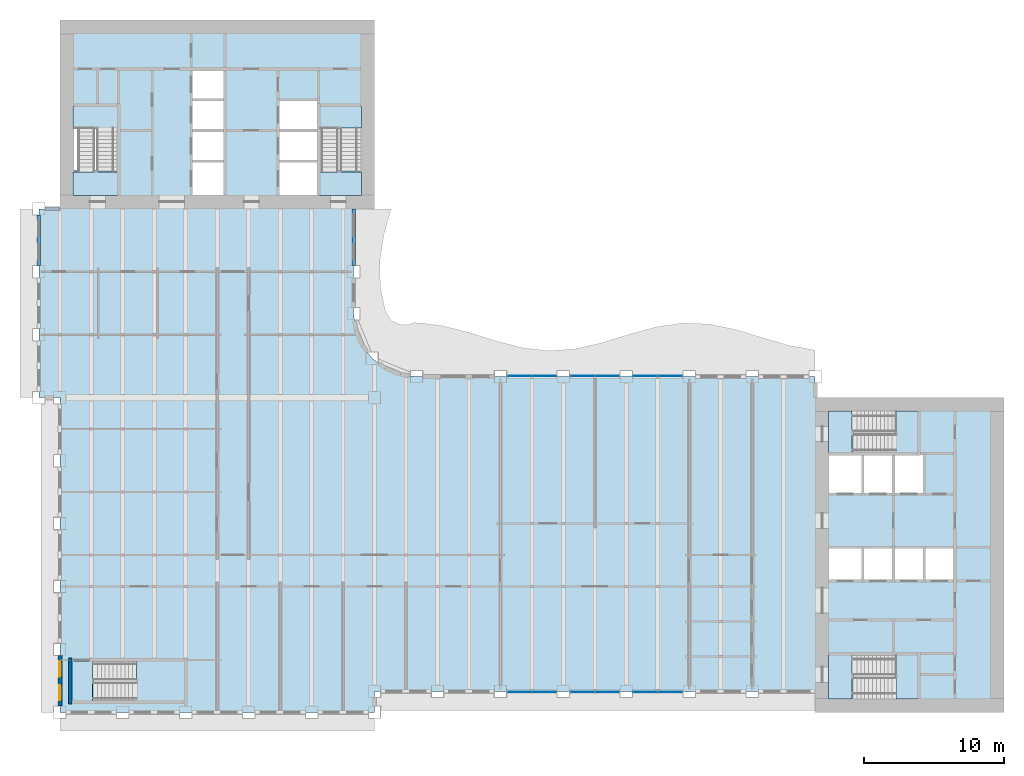
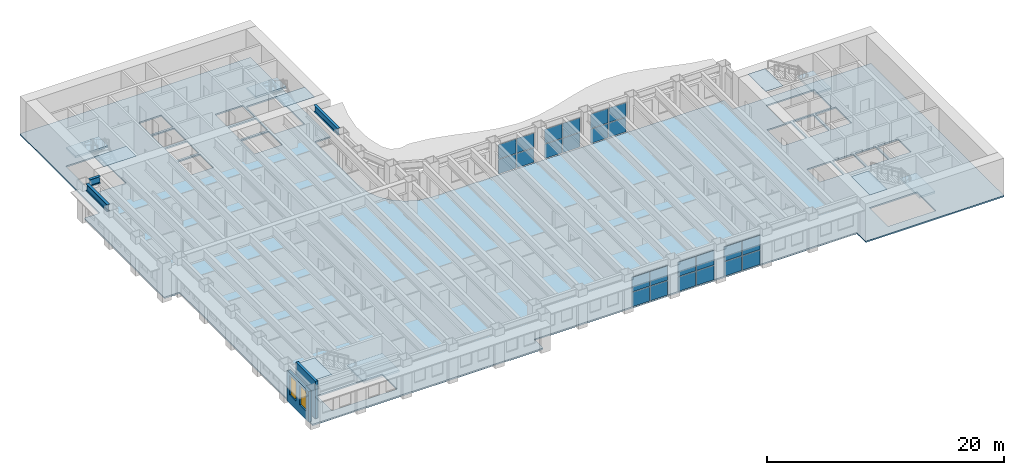
# One storey, part 4 of 17: 24 plates, 11 slabs, 3 beams, 2 walls, 2 windows, 2 openings, 11 elements without a shape of their own.
"""IFC4 building model written with IfcOpenShell, lengths in metres."""

import ifcopenshell
import ifcopenshell.guid

model = None  # the IFC model being written
_history = None  # IfcOwnerHistory: only IFC2X3 demands one
_inside = {}  # id of a spatial element -> (the spatial element, [elements in it])
_under = {}  # id of a project, library or spatial element -> (it, [spatial elements below it])
_declared = {}  # id of a project -> (the project, [libraries it declares])
_typed = {}  # id of a type object -> (the type object, [elements of that type])
_made_of = {}  # id of a material, layer set ... -> (it, [elements and type objects made of it])


def new_model(schema):
    """Start an empty IFC model of exactly this schema.

    Asked for "IFC4X3", IfcOpenShell would pick the latest addendum, in which some entities
    have other attributes; the version numbers below select the first issue.
    IFC2X3 requires an IfcOwnerHistory on every rooted entity: one is made here for all.
    """
    global model, _history
    if schema == "IFC4X3":
        model = ifcopenshell.file(schema_version=(4, 3, 0, 0))
    else:
        model = ifcopenshell.file(schema=schema)
    _inside.clear()
    _under.clear()
    _declared.clear()
    _typed.clear()
    _made_of.clear()
    _history = None
    if model.schema == "IFC2X3":
        org = make("IfcOrganization", Name="unknown")
        user = make(
            "IfcPersonAndOrganization",
            ThePerson=make("IfcPerson", FamilyName="unknown"),
            TheOrganization=org,
        )
        app = make(
            "IfcApplication",
            ApplicationDeveloper=org,
            Version="unknown",
            ApplicationFullName="unknown",
            ApplicationIdentifier="unknown",
        )
        _history = make(
            "IfcOwnerHistory",
            OwningUser=user,
            OwningApplication=app,
            ChangeAction="ADDED",
            CreationDate=0,
        )
    return model


def make(cls, **values):
    """One entity of the class cls with the attributes given. An attribute that is None is left unset."""
    return model.create_entity(
        cls, **{name: value for name, value in values.items() if value is not None}
    )


def rooted(cls, **values):
    """An entity with a GlobalId (a new one), such as an element, a storey or a relation."""
    return make(cls, GlobalId=ifcopenshell.guid.new(), OwnerHistory=_history, **values)


def si_unit(unit_type, name, prefix=None):
    """IfcSIUnit, for example si_unit("LENGTHUNIT", "METRE", prefix="MILLI")."""
    return make("IfcSIUnit", UnitType=unit_type, Prefix=prefix, Name=name)


def assignment(units):
    """IfcUnitAssignment: the units of a project."""
    return None if units is None else make("IfcUnitAssignment", Units=units)


def point(xyz):
    """IfcCartesianPoint."""
    return None if xyz is None else make("IfcCartesianPoint", Coordinates=xyz)


def direction(xyz):
    """IfcDirection."""
    return None if xyz is None else make("IfcDirection", DirectionRatios=xyz)


def frame(location, z_axis=None, x_axis=None):
    """IfcAxis2Placement3D, a coordinate frame: its origin and axes. An axis left out is left unset."""
    return make(
        "IfcAxis2Placement3D",
        Location=point(location),
        Axis=direction(z_axis),
        RefDirection=direction(x_axis),
    )


def frame_2d(location, x_axis=None):
    """IfcAxis2Placement2D, a coordinate frame in the plane: its origin and x axis."""
    return make(
        "IfcAxis2Placement2D", Location=point(location), RefDirection=direction(x_axis)
    )


def origin():
    """The frame at (0, 0, 0) with its axes left unset."""
    return frame((0.0, 0.0, 0.0))


def origin_2d():
    """The frame at (0, 0) in the plane with its x axis left unset."""
    return frame_2d((0.0, 0.0))


def place(relative_to, where):
    """IfcLocalPlacement: puts the frame where relative to a parent placement (None: the world)."""
    return make(
        "IfcLocalPlacement", PlacementRelTo=relative_to, RelativePlacement=where
    )


def context(
    kind, dimensions, precision=None, world=None, true_north=None, identifier=None
):
    """IfcGeometricRepresentationContext, for example the 3D "Model" context."""
    return make(
        "IfcGeometricRepresentationContext",
        ContextIdentifier=identifier,
        ContextType=kind,
        CoordinateSpaceDimension=dimensions,
        Precision=precision,
        WorldCoordinateSystem=world,
        TrueNorth=true_north,
    )


def subcontext(parent, identifier, kind, view, scale=None):
    """IfcGeometricRepresentationSubContext, for example "Body" below "Model"."""
    return make(
        "IfcGeometricRepresentationSubContext",
        ContextIdentifier=identifier,
        ContextType=kind,
        ParentContext=parent,
        TargetScale=scale,
        TargetView=view,
    )


def project(units=None, contexts=None):
    """IfcProject with its units and contexts."""
    return rooted(
        "IfcProject",
        Name="project",
        RepresentationContexts=contexts,
        UnitsInContext=assignment(units),
    )


def spatial(cls, under=None, at=None, **own):
    """A site, building, storey or space (cls), placed at a placement, below another one or the project."""
    s = rooted(cls, ObjectPlacement=at, **own)
    if under is not None:
        _under.setdefault(under.id(), (under, []))[1].append(s)
    return s


def polyline(points):
    """IfcPolyline through the points."""
    return make("IfcPolyline", Points=[point(p) for p in points])


def profile(cls, at=None, kind="AREA", **sizes):
    """A parametric profile (cls). Its sizes go by their IFC names, for example OverallWidth=200.0."""
    return make(cls, ProfileType=kind, Position=at, **sizes)


def rectangle(**sizes):
    """IfcRectangleProfileDef."""
    return profile("IfcRectangleProfileDef", **sizes)


def i_section(**sizes):
    """IfcIShapeProfileDef."""
    return profile("IfcIShapeProfileDef", **sizes)


def outline(outer, holes=None, kind="AREA"):
    """IfcArbitraryClosedProfileDef: a profile drawn as a closed curve; with holes, ...WithVoids."""
    if holes is None:
        return make("IfcArbitraryClosedProfileDef", ProfileType=kind, OuterCurve=outer)
    return make(
        "IfcArbitraryProfileDefWithVoids",
        ProfileType=kind,
        OuterCurve=outer,
        InnerCurves=holes,
    )


def extrude(swept, where, along, depth):
    """IfcExtrudedAreaSolid: the profile swept, set in the frame where, extruded along a direction by depth."""
    return make(
        "IfcExtrudedAreaSolid",
        SweptArea=swept,
        Position=where,
        ExtrudedDirection=direction(along),
        Depth=depth,
    )


def shape(context_of_items, identifier, shape_type, items):
    """IfcShapeRepresentation: the items that make up one representation, for example the "Body"."""
    return make(
        "IfcShapeRepresentation",
        ContextOfItems=context_of_items,
        RepresentationIdentifier=identifier,
        RepresentationType=shape_type,
        Items=items,
    )


def material(Name=None, Category=None):
    """IfcMaterial."""
    return make("IfcMaterial", Name=Name, Category=Category)


def layer(
    of_material, thickness, ventilated=None, Name=None, Category=None, Priority=None
):
    """IfcMaterialLayer: one layer of a wall or slab, of a material (None: an air gap)."""
    return make(
        "IfcMaterialLayer",
        Material=of_material,
        LayerThickness=thickness,
        IsVentilated=ventilated,
        Name=Name,
        Category=Category,
        Priority=Priority,
    )


def layer_set(layers, Name=None):
    """IfcMaterialLayerSet."""
    return make("IfcMaterialLayerSet", MaterialLayers=layers, LayerSetName=Name)


def material_profile(
    of_material, cross_section, Name=None, Category=None, Priority=None
):
    """IfcMaterialProfile: a cross section and its material."""
    return make(
        "IfcMaterialProfile",
        Name=Name,
        Material=of_material,
        Profile=cross_section,
        Priority=Priority,
        Category=Category,
    )


def profile_set(profiles, Name=None, composite=None):
    """IfcMaterialProfileSet."""
    return make(
        "IfcMaterialProfileSet",
        Name=Name,
        MaterialProfiles=profiles,
        CompositeProfile=composite,
    )


def made_of(thing, what):
    """Note that an element or type object is made of a material, layer set ...; save() writes the relation."""
    if what is not None:
        _made_of.setdefault(what.id(), (what, []))[1].append(thing)
    return thing


def type_object(cls, material=None, **own):
    """A type object (cls), such as IfcWallType, which elements share."""
    return made_of(rooted(cls, **own), material)


def element(
    cls,
    number,
    at=None,
    inside=None,
    cuts=None,
    type_object=None,
    material=None,
    context=None,
    identifier="Body",
    shape_type=None,
    held_by="IfcProductDefinitionShape",
    body=None,
    shapes=None,
    **own,
):
    """One element of the class cls, such as IfcWall. Its Tag is "e" and its number.

    at: its placement. inside: the storey or other place that contains it. cuts: it is an
    opening in that element (IfcRelVoidsElement). A single representation is given by context,
    identifier, shape_type and body (its items); several are given by shapes. held_by: the class
    of the entity that holds the representations. save() writes the other relations.
    """
    e = rooted(cls, Tag="e%d" % number, ObjectPlacement=at, **own)
    if body is not None:
        shapes = [shape(context, identifier, shape_type, body)]
    if shapes is not None:
        e.Representation = make(held_by, Representations=shapes)
    if inside is not None:
        _inside.setdefault(inside.id(), (inside, []))[1].append(e)
    if cuts is not None:
        rooted(
            "IfcRelVoidsElement", RelatingBuildingElement=cuts, RelatedOpeningElement=e
        )
    if type_object is not None:
        _typed.setdefault(type_object.id(), (type_object, []))[1].append(e)
    return made_of(e, material)


def fill(opening, filler):
    """IfcRelFillsElement: the door or window that sits in an opening."""
    return rooted(
        "IfcRelFillsElement",
        RelatingOpeningElement=opening,
        RelatedBuildingElement=filler,
    )


def aggregate(whole, parts):
    """IfcRelAggregates: a whole, such as a stair, and the parts it consists of."""
    return rooted("IfcRelAggregates", RelatingObject=whole, RelatedObjects=parts)


def save(model, path):
    """Write the relations noted so far, then the file.

    IfcRelAggregates (storeys below a building ...), IfcRelContainedInSpatialStructure (elements
    in a storey), IfcRelDefinesByType, IfcRelAssociatesMaterial and IfcRelDeclares: one each for
    every whole, place, type object, material and project.
    """
    for whole, parts in _under.values():
        aggregate(whole, parts)
    for where, things in _inside.values():
        rooted(
            "IfcRelContainedInSpatialStructure",
            RelatedElements=things,
            RelatingStructure=where,
        )
    for kind, things in _typed.values():
        rooted("IfcRelDefinesByType", RelatedObjects=things, RelatingType=kind)
    for what, things in _made_of.values():
        rooted("IfcRelAssociatesMaterial", RelatedObjects=things, RelatingMaterial=what)
    for by, libraries in _declared.values():
        rooted("IfcRelDeclares", RelatingContext=by, RelatedDefinitions=libraries)
    model.write(path)


model = new_model("IFC4")

# Units and contexts
model_context = context("Model", 3, precision=1e-05, world=origin(), true_north=direction((0.0, 1.0)))
body_context = subcontext(model_context, "Body", "Model", "MODEL_VIEW")
ifc_project = project(units=[si_unit("LENGTHUNIT", "METRE"), si_unit("AREAUNIT", "SQUARE_METRE"), si_unit("VOLUMEUNIT", "CUBIC_METRE"), si_unit("PLANEANGLEUNIT", "RADIAN"), si_unit("MASSUNIT", "GRAM", prefix="KILO")], contexts=[model_context])

# Site, building, storey
site_placement = place(None, origin())
site = spatial("IfcSite", under=ifc_project, at=site_placement, CompositionType="ELEMENT")
building_placement = place(site_placement, origin())
building = spatial("IfcBuilding", under=site, at=building_placement, Name="Sennacour Bend Tower", CompositionType="ELEMENT")
storey_placement = place(building_placement, frame((0.0, 0.0, 151.0)))
storey = spatial("IfcBuildingStorey", under=building, at=storey_placement, Name="L34", CompositionType="ELEMENT", Elevation=151.0)

# Beams
ifc_material_1 = material(Name="Steel ASTM A992 Grade 50", Category="steel")
ifc_material_profile = material_profile(ifc_material_1, i_section(OverallWidth=0.25390625, OverallDepth=0.700927734375, WebThickness=0.015380859375, FlangeThickness=0.02783203125, FilletRadius=0.015380859375, at=origin_2d()), Name="Steel ASTM A992 Grade 50", Category="steel")
ifc_profile_set = profile_set([ifc_material_profile], Name="Steel ASTM A992 Grade 50")
beam_type = type_object("IfcBeamType", Name="Spandrel beam W690X192", PredefinedType="SPANDREL", material=ifc_profile_set)
beam_1_placement = place(storey_placement, frame((-1.5, 31.949951171875, 3.49951171875), z_axis=(0.0, 1.0, 0.0), x_axis=(-1.0, 0.0, 0.0)))
element("IfcBeam", 1, at=beam_1_placement, inside=storey, type_object=beam_type, Name="Spandrel beam SP4 L35-008", PredefinedType="SPANDREL", context=body_context, shape_type="SweptSolid", body=[
    extrude(i_section(OverallWidth=0.25390625, OverallDepth=0.700927734375, WebThickness=0.015380859375, FlangeThickness=0.02783203125, FilletRadius=0.015380859375, at=origin_2d()), origin(), (0.0, 0.0, 1.0), 3.60009765625),
])
beam_2_placement = place(storey_placement, frame((-1.050048828125, 36.0, 3.49951171875), z_axis=(1.0, 0.0, 0.0), x_axis=(0.0, 1.0, 0.0)))
element("IfcBeam", 2, at=beam_2_placement, inside=storey, type_object=beam_type, Name="Spandrel beam SP4 L35-009", PredefinedType="SPANDREL", context=body_context, shape_type="SweptSolid", body=[
    extrude(i_section(OverallWidth=0.25390625, OverallDepth=0.700927734375, WebThickness=0.015380859375, FlangeThickness=0.02783203125, FilletRadius=0.015380859375, at=origin_2d()), origin(), (0.0, 0.0, 1.0), 1.050048828125),
])
beam_3_placement = place(storey_placement, frame((21.0, 36.0, 3.49951171875), z_axis=(0.0, -1.0, 0.0), x_axis=(1.0, 0.0, 0.0)))
element("IfcBeam", 3, at=beam_3_placement, inside=storey, type_object=beam_type, Name="Spandrel beam SP4 L35-010", PredefinedType="SPANDREL", context=body_context, shape_type="SweptSolid", body=[
    extrude(i_section(OverallWidth=0.25390625, OverallDepth=0.700927734375, WebThickness=0.015380859375, FlangeThickness=0.02783203125, FilletRadius=0.015380859375, at=origin_2d()), origin(), (0.0, 0.0, 1.0), 4.050048828125),
])

# Slab
ifc_material_2 = material(Name="Concrete C30/37", Category="concrete")
ifc_layer_1 = layer(ifc_material_2, 0.14990234375, Name="Concrete C30/37", Category="concrete")
ifc_layer_set_1 = layer_set([ifc_layer_1], Name="Concrete C30/37")
slab_type_1 = type_object("IfcSlabType", Name="Floor slab 150", PredefinedType="FLOOR", material=ifc_layer_set_1)
slab_1_placement = place(storey_placement, frame((0.0, 0.0, -0.14990234375)))
element("IfcSlab", 4, at=slab_1_placement, inside=storey, type_object=slab_type_1, Name="Floor slab L34-01", PredefinedType="FLOOR", context=body_context, shape_type="SweptSolid", body=[
    extrude(outline(polyline([(0.0, 22.5), (-1.5, 22.5), (-1.5, 36.0), (0.0, 36.0), (0.0, 49.5), (22.5, 49.5), (22.5, 36.0), (21.0, 36.0), (21.0, 28.5), (21.1533203125, 27.335205078125), (21.602783203125, 26.25), (22.318115234375, 25.318115234375), (23.25, 24.602783203125), (24.335205078125, 24.1533203125), (25.5, 24.0), (54.0, 24.0), (54.0, 22.5), (67.5, 22.5), (67.5, 0.0), (54.0, 0.0), (54.0, 1.5), (22.5, 1.5), (22.5, 0.0), (0.0, 0.0), (0.0, 22.5)]), holes=[polyline([(8.800048828125, 0.949951171875), (8.800048828125, 3.5), (2.429931640625, 3.5), (2.429931640625, 0.949951171875), (8.800048828125, 0.949951171875)]), polyline([(11.699951171875, 37.0), (11.699951171875, 39.300048828125), (9.5, 39.300048828125), (9.5, 37.0), (11.699951171875, 37.0)]), polyline([(18.39990234375, 37.0), (18.39990234375, 39.300048828125), (15.699951171875, 39.300048828125), (15.699951171875, 37.0), (18.39990234375, 37.0)]), polyline([(11.699951171875, 39.5), (11.699951171875, 41.5), (9.5, 41.5), (9.5, 39.5), (11.699951171875, 39.5)]), polyline([(18.39990234375, 39.5), (18.39990234375, 41.5), (15.699951171875, 41.5), (15.699951171875, 39.5), (18.39990234375, 39.5)]), polyline([(4.125, 38.72998046875), (4.125, 43.39990234375), (0.949951171875, 43.39990234375), (0.949951171875, 38.72998046875), (4.125, 38.72998046875)]), polyline([(21.550048828125, 38.72998046875), (21.550048828125, 43.39990234375), (18.574951171875, 43.39990234375), (18.574951171875, 38.72998046875), (21.550048828125, 38.72998046875)]), polyline([(9.5, 41.699951171875), (11.699951171875, 41.699951171875), (11.699951171875, 43.699951171875), (9.5, 43.699951171875), (9.5, 41.699951171875)]), polyline([(15.699951171875, 41.699951171875), (18.39990234375, 41.699951171875), (18.39990234375, 43.699951171875), (15.699951171875, 43.699951171875), (15.699951171875, 41.699951171875)]), polyline([(11.699951171875, 43.89990234375), (11.699951171875, 45.89990234375), (9.5, 45.89990234375), (9.5, 43.89990234375), (11.699951171875, 43.89990234375)]), polyline([(61.39990234375, 0.949951171875), (61.39990234375, 4.125), (56.72998046875, 4.125), (56.72998046875, 0.949951171875), (61.39990234375, 0.949951171875)]), polyline([(57.300048828125, 9.5), (57.300048828125, 11.699951171875), (55.0, 11.699951171875), (55.0, 9.5), (57.300048828125, 9.5)]), polyline([(57.5, 9.5), (59.5, 9.5), (59.5, 11.699951171875), (57.5, 11.699951171875), (57.5, 9.5)]), polyline([(59.699951171875, 9.5), (61.699951171875, 9.5), (61.699951171875, 11.699951171875), (59.699951171875, 11.699951171875), (59.699951171875, 9.5)]), polyline([(63.89990234375, 9.5), (63.89990234375, 11.699951171875), (61.89990234375, 11.699951171875), (61.89990234375, 9.5), (63.89990234375, 9.5)]), polyline([(57.300048828125, 15.699951171875), (57.300048828125, 18.39990234375), (55.0, 18.39990234375), (55.0, 15.699951171875), (57.300048828125, 15.699951171875)]), polyline([(59.5, 15.699951171875), (59.5, 18.39990234375), (57.5, 18.39990234375), (57.5, 15.699951171875), (59.5, 15.699951171875)]), polyline([(59.699951171875, 15.699951171875), (61.699951171875, 15.699951171875), (61.699951171875, 18.39990234375), (59.699951171875, 18.39990234375), (59.699951171875, 15.699951171875)]), polyline([(56.72998046875, 18.574951171875), (61.39990234375, 18.574951171875), (61.39990234375, 21.550048828125), (56.72998046875, 21.550048828125), (56.72998046875, 18.574951171875)])]), origin(), (0.0, 0.0, 1.0), 0.14990234375),
])

# Curtain wall, plates
ifc_material_3 = material(Name="Bronze anodised aluminium curtain wall with clear glass", Category="aluminium")
curtain_wall_type = type_object("IfcCurtainWallType", Name="CURTAIN WALL BRIDGE", PredefinedType="NOTDEFINED", material=ifc_material_3)
curtain_wall_1_placement = place(storey_placement, origin())
curtain_wall_1 = element("IfcCurtainWall", 5, at=curtain_wall_1_placement, inside=storey, type_object=curtain_wall_type, Name="Sky bridge glass wall L34", PredefinedType="NOTDEFINED")
ifc_material_4 = material(Name="Clear low-emissivity glass", Category="glass")
ifc_layer_2 = layer(ifc_material_4, 0.031982421875, Name="Clear low-emissivity glass", Category="glass")
ifc_layer_set_2 = layer_set([ifc_layer_2], Name="Clear low-emissivity glass")
plate_type = type_object("IfcPlateType", Name="PNL-GLASS-IGU32", PredefinedType="CURTAIN_PANEL", material=ifc_layer_set_2)
plate_1_placement = place(storey_placement, frame((32.864990234375, 1.449951171875, 0.06005859375), z_axis=(0.0, 0.0, 1.0), x_axis=(1.0, 0.0, 0.0)))
plate_1 = element("IfcPlate", 6, at=plate_1_placement, type_object=plate_type, Name="GW5 curtain wall panel 1.1", PredefinedType="CURTAIN_PANEL", context=body_context, shape_type="SweptSolid", body=[
    extrude(rectangle(XDim=1.7099609375, YDim=0.031982421875, at=origin_2d()), origin(), (0.0, 0.0, 1.0), 1.485107421875),
])
plate_2_placement = place(storey_placement, frame((32.864990234375, 1.449951171875, 1.60498046875), z_axis=(0.0, 0.0, 1.0), x_axis=(1.0, 0.0, 0.0)))
plate_2 = element("IfcPlate", 7, at=plate_2_placement, type_object=plate_type, Name="GW5 curtain wall panel 1.2", PredefinedType="CURTAIN_PANEL", context=body_context, shape_type="SweptSolid", body=[
    extrude(rectangle(XDim=1.7099609375, YDim=0.031982421875, at=origin_2d()), origin(), (0.0, 0.0, 1.0), 1.48388671875),
])
plate_3_placement = place(storey_placement, frame((34.635009765625, 1.449951171875, 0.06005859375), z_axis=(0.0, 0.0, 1.0), x_axis=(1.0, 0.0, 0.0)))
plate_3 = element("IfcPlate", 8, at=plate_3_placement, type_object=plate_type, Name="GW5 curtain wall panel 2.1", PredefinedType="CURTAIN_PANEL", context=body_context, shape_type="SweptSolid", body=[
    extrude(rectangle(XDim=1.7099609375, YDim=0.031982421875, at=origin_2d()), origin(), (0.0, 0.0, 1.0), 1.485107421875),
])
plate_4_placement = place(storey_placement, frame((34.635009765625, 1.449951171875, 1.60498046875), z_axis=(0.0, 0.0, 1.0), x_axis=(1.0, 0.0, 0.0)))
plate_4 = element("IfcPlate", 9, at=plate_4_placement, type_object=plate_type, Name="GW5 curtain wall panel 2.2", PredefinedType="CURTAIN_PANEL", context=body_context, shape_type="SweptSolid", body=[
    extrude(rectangle(XDim=1.7099609375, YDim=0.031982421875, at=origin_2d()), origin(), (0.0, 0.0, 1.0), 1.48388671875),
])
aggregate(curtain_wall_1, [plate_1, plate_2, plate_3, plate_4])

curtain_wall_2_placement = place(storey_placement, origin())
curtain_wall_2 = element("IfcCurtainWall", 10, at=curtain_wall_2_placement, inside=storey, type_object=curtain_wall_type, Name="Sky bridge glass wall L34", PredefinedType="NOTDEFINED")
plate_5_placement = place(storey_placement, frame((37.364990234375, 1.449951171875, 0.06005859375), z_axis=(0.0, 0.0, 1.0), x_axis=(1.0, 0.0, 0.0)))
plate_5 = element("IfcPlate", 11, at=plate_5_placement, type_object=plate_type, Name="GW5 curtain wall panel 1.1", PredefinedType="CURTAIN_PANEL", context=body_context, shape_type="SweptSolid", body=[
    extrude(rectangle(XDim=1.7099609375, YDim=0.031982421875, at=origin_2d()), origin(), (0.0, 0.0, 1.0), 1.485107421875),
])
plate_6_placement = place(storey_placement, frame((37.364990234375, 1.449951171875, 1.60498046875), z_axis=(0.0, 0.0, 1.0), x_axis=(1.0, 0.0, 0.0)))
plate_6 = element("IfcPlate", 12, at=plate_6_placement, type_object=plate_type, Name="GW5 curtain wall panel 1.2", PredefinedType="CURTAIN_PANEL", context=body_context, shape_type="SweptSolid", body=[
    extrude(rectangle(XDim=1.7099609375, YDim=0.031982421875, at=origin_2d()), origin(), (0.0, 0.0, 1.0), 1.48388671875),
])
plate_7_placement = place(storey_placement, frame((39.135009765625, 1.449951171875, 0.06005859375), z_axis=(0.0, 0.0, 1.0), x_axis=(1.0, 0.0, 0.0)))
plate_7 = element("IfcPlate", 13, at=plate_7_placement, type_object=plate_type, Name="GW5 curtain wall panel 2.1", PredefinedType="CURTAIN_PANEL", context=body_context, shape_type="SweptSolid", body=[
    extrude(rectangle(XDim=1.7099609375, YDim=0.031982421875, at=origin_2d()), origin(), (0.0, 0.0, 1.0), 1.485107421875),
])
plate_8_placement = place(storey_placement, frame((39.135009765625, 1.449951171875, 1.60498046875), z_axis=(0.0, 0.0, 1.0), x_axis=(1.0, 0.0, 0.0)))
plate_8 = element("IfcPlate", 14, at=plate_8_placement, type_object=plate_type, Name="GW5 curtain wall panel 2.2", PredefinedType="CURTAIN_PANEL", context=body_context, shape_type="SweptSolid", body=[
    extrude(rectangle(XDim=1.7099609375, YDim=0.031982421875, at=origin_2d()), origin(), (0.0, 0.0, 1.0), 1.48388671875),
])
aggregate(curtain_wall_2, [plate_5, plate_6, plate_7, plate_8])

curtain_wall_3_placement = place(storey_placement, origin())
curtain_wall_3 = element("IfcCurtainWall", 15, at=curtain_wall_3_placement, inside=storey, type_object=curtain_wall_type, Name="Sky bridge glass wall L34", PredefinedType="NOTDEFINED")
plate_9_placement = place(storey_placement, frame((41.864990234375, 1.449951171875, 0.06005859375), z_axis=(0.0, 0.0, 1.0), x_axis=(1.0, 0.0, 0.0)))
plate_9 = element("IfcPlate", 16, at=plate_9_placement, type_object=plate_type, Name="GW5 curtain wall panel 1.1", PredefinedType="CURTAIN_PANEL", context=body_context, shape_type="SweptSolid", body=[
    extrude(rectangle(XDim=1.7099609375, YDim=0.031982421875, at=origin_2d()), origin(), (0.0, 0.0, 1.0), 1.485107421875),
])
plate_10_placement = place(storey_placement, frame((41.864990234375, 1.449951171875, 1.60498046875), z_axis=(0.0, 0.0, 1.0), x_axis=(1.0, 0.0, 0.0)))
plate_10 = element("IfcPlate", 17, at=plate_10_placement, type_object=plate_type, Name="GW5 curtain wall panel 1.2", PredefinedType="CURTAIN_PANEL", context=body_context, shape_type="SweptSolid", body=[
    extrude(rectangle(XDim=1.7099609375, YDim=0.031982421875, at=origin_2d()), origin(), (0.0, 0.0, 1.0), 1.48388671875),
])
plate_11_placement = place(storey_placement, frame((43.635009765625, 1.449951171875, 0.06005859375), z_axis=(0.0, 0.0, 1.0), x_axis=(1.0, 0.0, 0.0)))
plate_11 = element("IfcPlate", 18, at=plate_11_placement, type_object=plate_type, Name="GW5 curtain wall panel 2.1", PredefinedType="CURTAIN_PANEL", context=body_context, shape_type="SweptSolid", body=[
    extrude(rectangle(XDim=1.7099609375, YDim=0.031982421875, at=origin_2d()), origin(), (0.0, 0.0, 1.0), 1.485107421875),
])
plate_12_placement = place(storey_placement, frame((43.635009765625, 1.449951171875, 1.60498046875), z_axis=(0.0, 0.0, 1.0), x_axis=(1.0, 0.0, 0.0)))
plate_12 = element("IfcPlate", 19, at=plate_12_placement, type_object=plate_type, Name="GW5 curtain wall panel 2.2", PredefinedType="CURTAIN_PANEL", context=body_context, shape_type="SweptSolid", body=[
    extrude(rectangle(XDim=1.7099609375, YDim=0.031982421875, at=origin_2d()), origin(), (0.0, 0.0, 1.0), 1.48388671875),
])
aggregate(curtain_wall_3, [plate_9, plate_10, plate_11, plate_12])

curtain_wall_4_placement = place(storey_placement, origin())
curtain_wall_4 = element("IfcCurtainWall", 20, at=curtain_wall_4_placement, inside=storey, type_object=curtain_wall_type, Name="Sky bridge glass wall L34", PredefinedType="NOTDEFINED")
plate_13_placement = place(storey_placement, frame((43.635009765625, 24.050048828125, 0.06005859375), z_axis=(0.0, 0.0, 1.0), x_axis=(-1.0, 0.0, 0.0)))
plate_13 = element("IfcPlate", 21, at=plate_13_placement, type_object=plate_type, Name="GW5 curtain wall panel 1.1", PredefinedType="CURTAIN_PANEL", context=body_context, shape_type="SweptSolid", body=[
    extrude(rectangle(XDim=1.7099609375, YDim=0.031982421875, at=origin_2d()), origin(), (0.0, 0.0, 1.0), 1.485107421875),
])
plate_14_placement = place(storey_placement, frame((43.635009765625, 24.050048828125, 1.60498046875), z_axis=(0.0, 0.0, 1.0), x_axis=(-1.0, 0.0, 0.0)))
plate_14 = element("IfcPlate", 22, at=plate_14_placement, type_object=plate_type, Name="GW5 curtain wall panel 1.2", PredefinedType="CURTAIN_PANEL", context=body_context, shape_type="SweptSolid", body=[
    extrude(rectangle(XDim=1.7099609375, YDim=0.031982421875, at=origin_2d()), origin(), (0.0, 0.0, 1.0), 1.48388671875),
])
plate_15_placement = place(storey_placement, frame((41.864990234375, 24.050048828125, 0.06005859375), z_axis=(0.0, 0.0, 1.0), x_axis=(-1.0, 0.0, 0.0)))
plate_15 = element("IfcPlate", 23, at=plate_15_placement, type_object=plate_type, Name="GW5 curtain wall panel 2.1", PredefinedType="CURTAIN_PANEL", context=body_context, shape_type="SweptSolid", body=[
    extrude(rectangle(XDim=1.7099609375, YDim=0.031982421875, at=origin_2d()), origin(), (0.0, 0.0, 1.0), 1.485107421875),
])
plate_16_placement = place(storey_placement, frame((41.864990234375, 24.050048828125, 1.60498046875), z_axis=(0.0, 0.0, 1.0), x_axis=(-1.0, 0.0, 0.0)))
plate_16 = element("IfcPlate", 24, at=plate_16_placement, type_object=plate_type, Name="GW5 curtain wall panel 2.2", PredefinedType="CURTAIN_PANEL", context=body_context, shape_type="SweptSolid", body=[
    extrude(rectangle(XDim=1.7099609375, YDim=0.031982421875, at=origin_2d()), origin(), (0.0, 0.0, 1.0), 1.48388671875),
])
aggregate(curtain_wall_4, [plate_13, plate_14, plate_15, plate_16])

curtain_wall_5_placement = place(storey_placement, origin())
curtain_wall_5 = element("IfcCurtainWall", 25, at=curtain_wall_5_placement, inside=storey, type_object=curtain_wall_type, Name="Sky bridge glass wall L34", PredefinedType="NOTDEFINED")
plate_17_placement = place(storey_placement, frame((39.135009765625, 24.050048828125, 0.06005859375), z_axis=(0.0, 0.0, 1.0), x_axis=(-1.0, 0.0, 0.0)))
plate_17 = element("IfcPlate", 26, at=plate_17_placement, type_object=plate_type, Name="GW5 curtain wall panel 1.1", PredefinedType="CURTAIN_PANEL", context=body_context, shape_type="SweptSolid", body=[
    extrude(rectangle(XDim=1.7099609375, YDim=0.031982421875, at=origin_2d()), origin(), (0.0, 0.0, 1.0), 1.485107421875),
])
plate_18_placement = place(storey_placement, frame((39.135009765625, 24.050048828125, 1.60498046875), z_axis=(0.0, 0.0, 1.0), x_axis=(-1.0, 0.0, 0.0)))
plate_18 = element("IfcPlate", 27, at=plate_18_placement, type_object=plate_type, Name="GW5 curtain wall panel 1.2", PredefinedType="CURTAIN_PANEL", context=body_context, shape_type="SweptSolid", body=[
    extrude(rectangle(XDim=1.7099609375, YDim=0.031982421875, at=origin_2d()), origin(), (0.0, 0.0, 1.0), 1.48388671875),
])
plate_19_placement = place(storey_placement, frame((37.364990234375, 24.050048828125, 0.06005859375), z_axis=(0.0, 0.0, 1.0), x_axis=(-1.0, 0.0, 0.0)))
plate_19 = element("IfcPlate", 28, at=plate_19_placement, type_object=plate_type, Name="GW5 curtain wall panel 2.1", PredefinedType="CURTAIN_PANEL", context=body_context, shape_type="SweptSolid", body=[
    extrude(rectangle(XDim=1.7099609375, YDim=0.031982421875, at=origin_2d()), origin(), (0.0, 0.0, 1.0), 1.485107421875),
])
plate_20_placement = place(storey_placement, frame((37.364990234375, 24.050048828125, 1.60498046875), z_axis=(0.0, 0.0, 1.0), x_axis=(-1.0, 0.0, 0.0)))
plate_20 = element("IfcPlate", 29, at=plate_20_placement, type_object=plate_type, Name="GW5 curtain wall panel 2.2", PredefinedType="CURTAIN_PANEL", context=body_context, shape_type="SweptSolid", body=[
    extrude(rectangle(XDim=1.7099609375, YDim=0.031982421875, at=origin_2d()), origin(), (0.0, 0.0, 1.0), 1.48388671875),
])
aggregate(curtain_wall_5, [plate_17, plate_18, plate_19, plate_20])

curtain_wall_6_placement = place(storey_placement, origin())
curtain_wall_6 = element("IfcCurtainWall", 30, at=curtain_wall_6_placement, inside=storey, type_object=curtain_wall_type, Name="Sky bridge glass wall L34", PredefinedType="NOTDEFINED")
plate_21_placement = place(storey_placement, frame((34.635009765625, 24.050048828125, 0.06005859375), z_axis=(0.0, 0.0, 1.0), x_axis=(-1.0, 0.0, 0.0)))
plate_21 = element("IfcPlate", 31, at=plate_21_placement, type_object=plate_type, Name="GW5 curtain wall panel 1.1", PredefinedType="CURTAIN_PANEL", context=body_context, shape_type="SweptSolid", body=[
    extrude(rectangle(XDim=1.7099609375, YDim=0.031982421875, at=origin_2d()), origin(), (0.0, 0.0, 1.0), 1.485107421875),
])
plate_22_placement = place(storey_placement, frame((34.635009765625, 24.050048828125, 1.60498046875), z_axis=(0.0, 0.0, 1.0), x_axis=(-1.0, 0.0, 0.0)))
plate_22 = element("IfcPlate", 32, at=plate_22_placement, type_object=plate_type, Name="GW5 curtain wall panel 1.2", PredefinedType="CURTAIN_PANEL", context=body_context, shape_type="SweptSolid", body=[
    extrude(rectangle(XDim=1.7099609375, YDim=0.031982421875, at=origin_2d()), origin(), (0.0, 0.0, 1.0), 1.48388671875),
])
plate_23_placement = place(storey_placement, frame((32.864990234375, 24.050048828125, 0.06005859375), z_axis=(0.0, 0.0, 1.0), x_axis=(-1.0, 0.0, 0.0)))
plate_23 = element("IfcPlate", 33, at=plate_23_placement, type_object=plate_type, Name="GW5 curtain wall panel 2.1", PredefinedType="CURTAIN_PANEL", context=body_context, shape_type="SweptSolid", body=[
    extrude(rectangle(XDim=1.7099609375, YDim=0.031982421875, at=origin_2d()), origin(), (0.0, 0.0, 1.0), 1.485107421875),
])
plate_24_placement = place(storey_placement, frame((32.864990234375, 24.050048828125, 1.60498046875), z_axis=(0.0, 0.0, 1.0), x_axis=(-1.0, 0.0, 0.0)))
plate_24 = element("IfcPlate", 34, at=plate_24_placement, type_object=plate_type, Name="GW5 curtain wall panel 2.2", PredefinedType="CURTAIN_PANEL", context=body_context, shape_type="SweptSolid", body=[
    extrude(rectangle(XDim=1.7099609375, YDim=0.031982421875, at=origin_2d()), origin(), (0.0, 0.0, 1.0), 1.48388671875),
])
aggregate(curtain_wall_6, [plate_21, plate_22, plate_23, plate_24])

# Slabs
ifc_material_5 = material(Name="Concrete C40/50", Category="concrete")
ifc_layer_3 = layer(ifc_material_5, 0.034912109375, Name="Concrete C40/50", Category="concrete")
ifc_layer_set_3 = layer_set([ifc_layer_3], Name="Concrete C40/50")
slab_type_2 = type_object("IfcSlabType", Name="Stair arrival nib 35", PredefinedType="FLOOR", material=ifc_layer_set_3)
slab_2_placement = place(storey_placement, frame((0.0, 0.0, 3.815185546875)))
element("IfcSlab", 35, at=slab_2_placement, inside=storey, type_object=slab_type_2, Name="L34 SA1 stair arrival nib", PredefinedType="FLOOR", context=body_context, shape_type="SweptSolid", body=[
    extrude(outline(polyline([(56.64208984375, 4.125), (54.949951171875, 4.125), (54.949951171875, 0.949951171875), (56.64208984375, 0.949951171875), (56.64208984375, 4.125)])), origin(), (0.0, 0.0, 1.0), 0.034912109375),
])
slab_3_placement = place(storey_placement, frame((0.0, 0.0, 3.815185546875)))
element("IfcSlab", 36, at=slab_3_placement, inside=storey, type_object=slab_type_2, Name="L34 SA2 stair arrival nib", PredefinedType="FLOOR", context=body_context, shape_type="SweptSolid", body=[
    extrude(outline(polyline([(56.64208984375, 21.550048828125), (54.949951171875, 21.550048828125), (54.949951171875, 18.574951171875), (56.64208984375, 18.574951171875), (56.64208984375, 21.550048828125)])), origin(), (0.0, 0.0, 1.0), 0.034912109375),
])
slab_4_placement = place(storey_placement, frame((0.0, 0.0, 3.815185546875)))
element("IfcSlab", 37, at=slab_4_placement, inside=storey, type_object=slab_type_2, Name="L34 SB1 stair arrival nib", PredefinedType="FLOOR", context=body_context, shape_type="SweptSolid", body=[
    extrude(outline(polyline([(0.949951171875, 38.64208984375), (0.949951171875, 36.949951171875), (4.125, 36.949951171875), (4.125, 38.64208984375), (0.949951171875, 38.64208984375)])), origin(), (0.0, 0.0, 1.0), 0.034912109375),
])
slab_5_placement = place(storey_placement, frame((0.0, 0.0, 3.815185546875)))
element("IfcSlab", 38, at=slab_5_placement, inside=storey, type_object=slab_type_2, Name="L34 SB2 stair arrival nib", PredefinedType="FLOOR", context=body_context, shape_type="SweptSolid", body=[
    extrude(outline(polyline([(18.574951171875, 38.64208984375), (18.574951171875, 36.949951171875), (21.550048828125, 36.949951171875), (21.550048828125, 38.64208984375), (18.574951171875, 38.64208984375)])), origin(), (0.0, 0.0, 1.0), 0.034912109375),
])
slab_6_placement = place(storey_placement, frame((0.0, 0.0, 3.815185546875)))
element("IfcSlab", 39, at=slab_6_placement, inside=storey, type_object=slab_type_2, Name="L34 SK1 stair arrival nib", PredefinedType="FLOOR", context=body_context, shape_type="SweptSolid", body=[
    extrude(outline(polyline([(2.342041015625, 3.675048828125), (0.800048828125, 3.675048828125), (0.800048828125, 0.800048828125), (2.342041015625, 0.800048828125), (2.342041015625, 3.675048828125)])), origin(), (0.0, 0.0, 1.0), 0.034912109375),
])

# Stair, slab
stair_type = type_object("IfcStairType", Name="ST-DOGLEG", PredefinedType="HALF_TURN_STAIR", material=ifc_material_5)
stair_1_placement = place(storey_placement, origin())
stair_1 = element("IfcStair", 40, at=stair_1_placement, inside=storey, type_object=stair_type, Name="L34 Exit stair A1", PredefinedType="HALF_TURN_STAIR")
ifc_layer_4 = layer(ifc_material_5, 0.199951171875, Name="Concrete C40/50", Category="concrete")
ifc_layer_set_4 = layer_set([ifc_layer_4], Name="Concrete C40/50")
slab_type_3 = type_object("IfcSlabType", Name="Stair landing 200", PredefinedType="LANDING", material=ifc_layer_set_4)
slab_7_placement = place(storey_placement, frame((0.0, 0.0, 1.800048828125)))
slab_7 = element("IfcSlab", 41, at=slab_7_placement, type_object=slab_type_3, Name="SA1 landing 1", PredefinedType="LANDING", context=body_context, shape_type="SweptSolid", body=[
    extrude(outline(polyline([(59.780029296875, 0.949951171875), (61.324951171875, 0.949951171875), (61.324951171875, 4.125), (59.780029296875, 4.125), (59.780029296875, 0.949951171875)])), origin(), (0.0, 0.0, 1.0), 0.199951171875),
])
aggregate(stair_1, [slab_7])

stair_2_placement = place(storey_placement, origin())
stair_2 = element("IfcStair", 42, at=stair_2_placement, inside=storey, type_object=stair_type, Name="L34 Exit stair A2", PredefinedType="HALF_TURN_STAIR")
slab_8_placement = place(storey_placement, frame((0.0, 0.0, 1.800048828125)))
slab_8 = element("IfcSlab", 43, at=slab_8_placement, type_object=slab_type_3, Name="SA2 landing 1", PredefinedType="LANDING", context=body_context, shape_type="SweptSolid", body=[
    extrude(outline(polyline([(59.780029296875, 18.574951171875), (61.324951171875, 18.574951171875), (61.324951171875, 21.550048828125), (59.780029296875, 21.550048828125), (59.780029296875, 18.574951171875)])), origin(), (0.0, 0.0, 1.0), 0.199951171875),
])
aggregate(stair_2, [slab_8])

stair_3_placement = place(storey_placement, origin())
stair_3 = element("IfcStair", 44, at=stair_3_placement, inside=storey, type_object=stair_type, Name="L34 Exit stair B1", PredefinedType="HALF_TURN_STAIR")
slab_9_placement = place(storey_placement, frame((0.0, 0.0, 1.800048828125)))
slab_9 = element("IfcSlab", 45, at=slab_9_placement, type_object=slab_type_3, Name="SB1 landing 1", PredefinedType="LANDING", context=body_context, shape_type="SweptSolid", body=[
    extrude(outline(polyline([(0.949951171875, 41.780029296875), (4.125, 41.780029296875), (4.125, 43.324951171875), (0.949951171875, 43.324951171875), (0.949951171875, 41.780029296875)])), origin(), (0.0, 0.0, 1.0), 0.199951171875),
])
aggregate(stair_3, [slab_9])

stair_4_placement = place(storey_placement, origin())
stair_4 = element("IfcStair", 46, at=stair_4_placement, inside=storey, type_object=stair_type, Name="L34 Exit stair B2", PredefinedType="HALF_TURN_STAIR")
slab_10_placement = place(storey_placement, frame((0.0, 0.0, 1.800048828125)))
slab_10 = element("IfcSlab", 47, at=slab_10_placement, type_object=slab_type_3, Name="SB2 landing 1", PredefinedType="LANDING", context=body_context, shape_type="SweptSolid", body=[
    extrude(outline(polyline([(18.574951171875, 41.780029296875), (21.550048828125, 41.780029296875), (21.550048828125, 43.324951171875), (18.574951171875, 43.324951171875), (18.574951171875, 41.780029296875)])), origin(), (0.0, 0.0, 1.0), 0.199951171875),
])
aggregate(stair_4, [slab_10])

stair_5_placement = place(storey_placement, origin())
stair_5 = element("IfcStair", 48, at=stair_5_placement, inside=storey, type_object=stair_type, Name="L34 Exit stair K1", PredefinedType="HALF_TURN_STAIR")
slab_11_placement = place(storey_placement, frame((0.0, 0.0, 1.800048828125)))
slab_11 = element("IfcSlab", 49, at=slab_11_placement, type_object=slab_type_3, Name="SK1 landing 1", PredefinedType="LANDING", context=body_context, shape_type="SweptSolid", body=[
    extrude(outline(polyline([(5.47998046875, 0.800048828125), (8.925048828125, 0.800048828125), (8.925048828125, 3.675048828125), (5.47998046875, 3.675048828125), (5.47998046875, 0.800048828125)])), origin(), (0.0, 0.0, 1.0), 0.199951171875),
])
aggregate(stair_5, [slab_11])

# Wall, openings, windows
ifc_material_6 = material(Name="Warm limestone cladding", Category="masonry")
ifc_layer_5 = layer(ifc_material_6, 0.050048828125, Name="Warm limestone cladding", Category="masonry")
ifc_material_7 = material(Name="Precast concrete C40/50", Category="concrete")
ifc_layer_6 = layer(ifc_material_7, 0.25, Name="Precast concrete C40/50", Category="concrete")
ifc_layer_set_5 = layer_set([ifc_layer_5, ifc_layer_6], Name="Precast concrete C40/50 with limestone cladding")
wall_type_1 = type_object("IfcWallType", Name="STONE-CLAD PRECAST SPANDREL 300", PredefinedType="STANDARD", material=ifc_layer_set_5)
wall_1_placement = place(storey_placement, frame((0.0, 4.050048828125, 0.0), z_axis=(0.0, 0.0, 1.0), x_axis=(0.0, -1.0, 0.0)))
wall_1 = element("IfcWall", 50, at=wall_1_placement, inside=storey, type_object=wall_type_1, Name="Stone spandrel and pier wall L34 23.04", PredefinedType="STANDARD", context=body_context, shape_type="SweptSolid", body=[
    extrude(rectangle(XDim=3.60009765625, YDim=0.300048828125, at=frame_2d((1.800048828125, 0.0))), origin(), (0.0, 0.0, 1.0), 3.14892578125),
])
opening_1_placement = place(wall_1_placement, frame((0.39990234375, 0.0, 0.89990234375)))
opening_1 = element("IfcOpeningElement", 51, at=opening_1_placement, cuts=wall_1, Name="Opening W19", PredefinedType="OPENING", context=body_context, shape_type="SweptSolid", body=[
    extrude(rectangle(XDim=1.10009765625, YDim=2.0, at=frame_2d((0.550048828125, 1.0))), frame((0.0, 0.16015625, 0.0), z_axis=(0.0, -1.0, 0.0), x_axis=(1.0, 0.0, 0.0)), (0.0, 0.0, 1.0), 0.320068359375),
])
opening_2_placement = place(wall_1_placement, frame((2.10009765625, 0.0, 0.89990234375)))
opening_2 = element("IfcOpeningElement", 52, at=opening_2_placement, cuts=wall_1, Name="Opening W19", PredefinedType="OPENING", context=body_context, shape_type="SweptSolid", body=[
    extrude(rectangle(XDim=1.10009765625, YDim=2.0, at=frame_2d((0.550048828125, 1.0))), frame((0.0, 0.16015625, 0.0), z_axis=(0.0, -1.0, 0.0), x_axis=(1.0, 0.0, 0.0)), (0.0, 0.0, 1.0), 0.320068359375),
])
window_type = type_object("IfcWindowType", Name="WIN-RIBBON-1100x2000", PartitioningType="SINGLE_PANEL", PredefinedType="WINDOW", material=ifc_material_4)
window_1_placement = place(opening_1_placement, origin())
window_1 = element("IfcWindow", 53, at=window_1_placement, inside=storey, type_object=window_type, Name="Ribbon window L34 23.04.0", OverallHeight=2.0, OverallWidth=1.10009765625, PartitioningType="SINGLE_PANEL", PredefinedType="WINDOW", context=body_context, shape_type="SweptSolid", body=[
    extrude(rectangle(XDim=1.10009765625, YDim=2.0, at=frame_2d((0.550048828125, 1.0))), frame((0.0, 0.030029296875, 0.0), z_axis=(0.0, -1.0, 0.0), x_axis=(1.0, 0.0, 0.0)), (0.0, 0.0, 1.0), 0.06005859375),
])
fill(opening_1, window_1)
window_2_placement = place(opening_2_placement, origin())
window_2 = element("IfcWindow", 54, at=window_2_placement, inside=storey, type_object=window_type, Name="Ribbon window L34 23.04.1", OverallHeight=2.0, OverallWidth=1.10009765625, PartitioningType="SINGLE_PANEL", PredefinedType="WINDOW", context=body_context, shape_type="SweptSolid", body=[
    extrude(rectangle(XDim=1.10009765625, YDim=2.0, at=frame_2d((0.550048828125, 1.0))), frame((0.0, 0.030029296875, 0.0), z_axis=(0.0, -1.0, 0.0), x_axis=(1.0, 0.0, 0.0)), (0.0, 0.0, 1.0), 0.06005859375),
])
fill(opening_2, window_2)

# Wall
ifc_material_8 = material(Name="Concrete C60/75", Category="concrete")
ifc_layer_7 = layer(ifc_material_8, 0.25, Name="Concrete C60/75", Category="concrete")
ifc_layer_set_6 = layer_set([ifc_layer_7], Name="Concrete C60/75")
wall_type_2 = type_object("IfcWallType", Name="Stair wall 250", PredefinedType="SHEAR", material=ifc_layer_set_6)
wall_2_placement = place(storey_placement, frame((0.72509765625, 0.60009765625, 0.0), z_axis=(0.0, 0.0, 1.0), x_axis=(0.0, 1.0, 0.0)))
element("IfcWall", 55, at=wall_2_placement, inside=storey, type_object=wall_type_2, Name="P-L34-W003", PredefinedType="SHEAR", context=body_context, shape_type="SweptSolid", body=[
    extrude(rectangle(XDim=3.27490234375, YDim=0.25, at=frame_2d((1.637451171875, 0.0))), origin(), (0.0, 0.0, 1.0), 3.85009765625),
])

save(model, "model.ifc")
